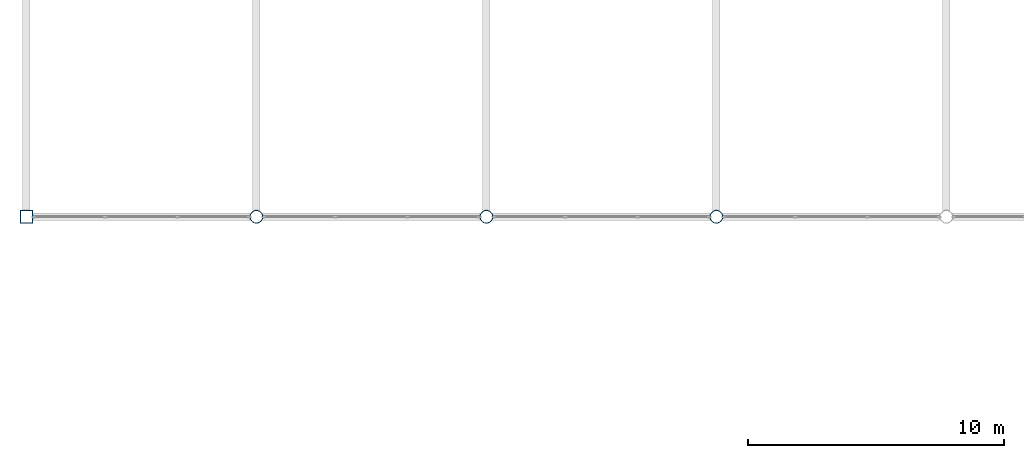
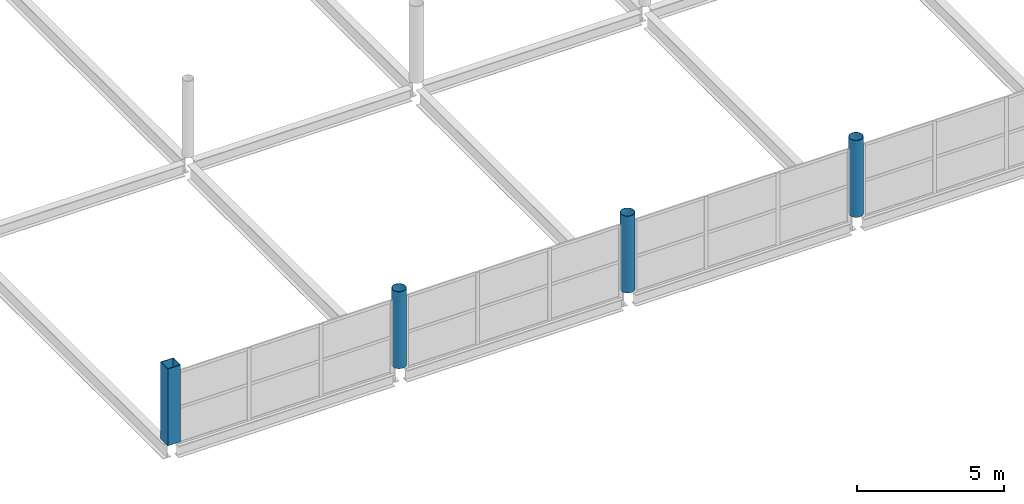
# One storey, part 1 of 134: 4 columns.
"""IFC4 building model written with IfcOpenShell, lengths in metres."""

import ifcopenshell
import ifcopenshell.guid

model = None  # the IFC model being written
_history = None  # IfcOwnerHistory: only IFC2X3 demands one
_inside = {}  # id of a spatial element -> (the spatial element, [elements in it])
_under = {}  # id of a project, library or spatial element -> (it, [spatial elements below it])
_declared = {}  # id of a project -> (the project, [libraries it declares])
_typed = {}  # id of a type object -> (the type object, [elements of that type])
_made_of = {}  # id of a material, layer set ... -> (it, [elements and type objects made of it])


def new_model(schema):
    """Start an empty IFC model of exactly this schema.

    Asked for "IFC4X3", IfcOpenShell would pick the latest addendum, in which some entities
    have other attributes; the version numbers below select the first issue.
    IFC2X3 requires an IfcOwnerHistory on every rooted entity: one is made here for all.
    """
    global model, _history
    if schema == "IFC4X3":
        model = ifcopenshell.file(schema_version=(4, 3, 0, 0))
    else:
        model = ifcopenshell.file(schema=schema)
    _inside.clear()
    _under.clear()
    _declared.clear()
    _typed.clear()
    _made_of.clear()
    _history = None
    if model.schema == "IFC2X3":
        org = make("IfcOrganization", Name="unknown")
        user = make(
            "IfcPersonAndOrganization",
            ThePerson=make("IfcPerson", FamilyName="unknown"),
            TheOrganization=org,
        )
        app = make(
            "IfcApplication",
            ApplicationDeveloper=org,
            Version="unknown",
            ApplicationFullName="unknown",
            ApplicationIdentifier="unknown",
        )
        _history = make(
            "IfcOwnerHistory",
            OwningUser=user,
            OwningApplication=app,
            ChangeAction="ADDED",
            CreationDate=0,
        )
    return model


def make(cls, **values):
    """One entity of the class cls with the attributes given. An attribute that is None is left unset."""
    return model.create_entity(
        cls, **{name: value for name, value in values.items() if value is not None}
    )


def rooted(cls, **values):
    """An entity with a GlobalId (a new one), such as an element, a storey or a relation."""
    return make(cls, GlobalId=ifcopenshell.guid.new(), OwnerHistory=_history, **values)


def si_unit(unit_type, name, prefix=None):
    """IfcSIUnit, for example si_unit("LENGTHUNIT", "METRE", prefix="MILLI")."""
    return make("IfcSIUnit", UnitType=unit_type, Prefix=prefix, Name=name)


def assignment(units):
    """IfcUnitAssignment: the units of a project."""
    return None if units is None else make("IfcUnitAssignment", Units=units)


def point(xyz):
    """IfcCartesianPoint."""
    return None if xyz is None else make("IfcCartesianPoint", Coordinates=xyz)


def direction(xyz):
    """IfcDirection."""
    return None if xyz is None else make("IfcDirection", DirectionRatios=xyz)


def frame(location, z_axis=None, x_axis=None):
    """IfcAxis2Placement3D, a coordinate frame: its origin and axes. An axis left out is left unset."""
    return make(
        "IfcAxis2Placement3D",
        Location=point(location),
        Axis=direction(z_axis),
        RefDirection=direction(x_axis),
    )


def frame_2d(location, x_axis=None):
    """IfcAxis2Placement2D, a coordinate frame in the plane: its origin and x axis."""
    return make(
        "IfcAxis2Placement2D", Location=point(location), RefDirection=direction(x_axis)
    )


def origin():
    """The frame at (0, 0, 0) with its axes left unset."""
    return frame((0.0, 0.0, 0.0))


def origin_2d():
    """The frame at (0, 0) in the plane with its x axis left unset."""
    return frame_2d((0.0, 0.0))


def place(relative_to, where):
    """IfcLocalPlacement: puts the frame where relative to a parent placement (None: the world)."""
    return make(
        "IfcLocalPlacement", PlacementRelTo=relative_to, RelativePlacement=where
    )


def context(
    kind, dimensions, precision=None, world=None, true_north=None, identifier=None
):
    """IfcGeometricRepresentationContext, for example the 3D "Model" context."""
    return make(
        "IfcGeometricRepresentationContext",
        ContextIdentifier=identifier,
        ContextType=kind,
        CoordinateSpaceDimension=dimensions,
        Precision=precision,
        WorldCoordinateSystem=world,
        TrueNorth=true_north,
    )


def subcontext(parent, identifier, kind, view, scale=None):
    """IfcGeometricRepresentationSubContext, for example "Body" below "Model"."""
    return make(
        "IfcGeometricRepresentationSubContext",
        ContextIdentifier=identifier,
        ContextType=kind,
        ParentContext=parent,
        TargetScale=scale,
        TargetView=view,
    )


def project(units=None, contexts=None):
    """IfcProject with its units and contexts."""
    return rooted(
        "IfcProject",
        Name="project",
        RepresentationContexts=contexts,
        UnitsInContext=assignment(units),
    )


def spatial(cls, under=None, at=None, **own):
    """A site, building, storey or space (cls), placed at a placement, below another one or the project."""
    s = rooted(cls, ObjectPlacement=at, **own)
    if under is not None:
        _under.setdefault(under.id(), (under, []))[1].append(s)
    return s


def profile(cls, at=None, kind="AREA", **sizes):
    """A parametric profile (cls). Its sizes go by their IFC names, for example OverallWidth=200.0."""
    return make(cls, ProfileType=kind, Position=at, **sizes)


def hollow_rectangle(**sizes):
    """IfcRectangleHollowProfileDef."""
    return profile("IfcRectangleHollowProfileDef", **sizes)


def hollow_circle(**sizes):
    """IfcCircleHollowProfileDef."""
    return profile("IfcCircleHollowProfileDef", **sizes)


def extrude(swept, where, along, depth):
    """IfcExtrudedAreaSolid: the profile swept, set in the frame where, extruded along a direction by depth."""
    return make(
        "IfcExtrudedAreaSolid",
        SweptArea=swept,
        Position=where,
        ExtrudedDirection=direction(along),
        Depth=depth,
    )


def shape(context_of_items, identifier, shape_type, items):
    """IfcShapeRepresentation: the items that make up one representation, for example the "Body"."""
    return make(
        "IfcShapeRepresentation",
        ContextOfItems=context_of_items,
        RepresentationIdentifier=identifier,
        RepresentationType=shape_type,
        Items=items,
    )


def material(Name=None, Category=None):
    """IfcMaterial."""
    return make("IfcMaterial", Name=Name, Category=Category)


def material_profile(
    of_material, cross_section, Name=None, Category=None, Priority=None
):
    """IfcMaterialProfile: a cross section and its material."""
    return make(
        "IfcMaterialProfile",
        Name=Name,
        Material=of_material,
        Profile=cross_section,
        Priority=Priority,
        Category=Category,
    )


def profile_set(profiles, Name=None, composite=None):
    """IfcMaterialProfileSet."""
    return make(
        "IfcMaterialProfileSet",
        Name=Name,
        MaterialProfiles=profiles,
        CompositeProfile=composite,
    )


def made_of(thing, what):
    """Note that an element or type object is made of a material, layer set ...; save() writes the relation."""
    if what is not None:
        _made_of.setdefault(what.id(), (what, []))[1].append(thing)
    return thing


def type_object(cls, material=None, **own):
    """A type object (cls), such as IfcWallType, which elements share."""
    return made_of(rooted(cls, **own), material)


def element(
    cls,
    number,
    at=None,
    inside=None,
    cuts=None,
    type_object=None,
    material=None,
    context=None,
    identifier="Body",
    shape_type=None,
    held_by="IfcProductDefinitionShape",
    body=None,
    shapes=None,
    **own,
):
    """One element of the class cls, such as IfcWall. Its Tag is "e" and its number.

    at: its placement. inside: the storey or other place that contains it. cuts: it is an
    opening in that element (IfcRelVoidsElement). A single representation is given by context,
    identifier, shape_type and body (its items); several are given by shapes. held_by: the class
    of the entity that holds the representations. save() writes the other relations.
    """
    e = rooted(cls, Tag="e%d" % number, ObjectPlacement=at, **own)
    if body is not None:
        shapes = [shape(context, identifier, shape_type, body)]
    if shapes is not None:
        e.Representation = make(held_by, Representations=shapes)
    if inside is not None:
        _inside.setdefault(inside.id(), (inside, []))[1].append(e)
    if cuts is not None:
        rooted(
            "IfcRelVoidsElement", RelatingBuildingElement=cuts, RelatedOpeningElement=e
        )
    if type_object is not None:
        _typed.setdefault(type_object.id(), (type_object, []))[1].append(e)
    return made_of(e, material)


def aggregate(whole, parts):
    """IfcRelAggregates: a whole, such as a stair, and the parts it consists of."""
    return rooted("IfcRelAggregates", RelatingObject=whole, RelatedObjects=parts)


def save(model, path):
    """Write the relations noted so far, then the file.

    IfcRelAggregates (storeys below a building ...), IfcRelContainedInSpatialStructure (elements
    in a storey), IfcRelDefinesByType, IfcRelAssociatesMaterial and IfcRelDeclares: one each for
    every whole, place, type object, material and project.
    """
    for whole, parts in _under.values():
        aggregate(whole, parts)
    for where, things in _inside.values():
        rooted(
            "IfcRelContainedInSpatialStructure",
            RelatedElements=things,
            RelatingStructure=where,
        )
    for kind, things in _typed.values():
        rooted("IfcRelDefinesByType", RelatedObjects=things, RelatingType=kind)
    for what, things in _made_of.values():
        rooted("IfcRelAssociatesMaterial", RelatedObjects=things, RelatingMaterial=what)
    for by, libraries in _declared.values():
        rooted("IfcRelDeclares", RelatingContext=by, RelatedDefinitions=libraries)
    model.write(path)


model = new_model("IFC4")

# Units and contexts
model_context = context("Model", 3, precision=1e-05, world=origin(), true_north=direction((0.0, 1.0)))
body_context = subcontext(model_context, "Body", "Model", "MODEL_VIEW")
ifc_project = project(units=[si_unit("LENGTHUNIT", "METRE"), si_unit("AREAUNIT", "SQUARE_METRE"), si_unit("VOLUMEUNIT", "CUBIC_METRE"), si_unit("PLANEANGLEUNIT", "RADIAN"), si_unit("MASSUNIT", "GRAM", prefix="KILO")], contexts=[model_context])

# Site, building, storey
site_placement = place(None, origin())
site = spatial("IfcSite", under=ifc_project, at=site_placement, CompositionType="ELEMENT")
building_placement = place(site_placement, origin())
building = spatial("IfcBuilding", under=site, at=building_placement, Name="Tamarisk Ironworks Central Station", CompositionType="ELEMENT")
storey_placement = place(building_placement, frame((0.0, 0.0, 12.60009765625)))
storey = spatial("IfcBuildingStorey", under=building, at=storey_placement, Name="L02", CompositionType="ELEMENT", Elevation=12.60009765625)

# Columns
ifc_material = material(Name="Structural steel S355J2H", Category="steel")
ifc_material_profile_1 = material_profile(ifc_material, hollow_rectangle(XDim=0.5, YDim=0.5, WallThickness=0.02001953125, at=origin_2d()), Name="SHS 500x500x20")
ifc_profile_set_1 = profile_set([ifc_material_profile_1], Name="Structural steel S355J2H")
column_type_1 = type_object("IfcColumnType", Name="COL-S13", PredefinedType="COLUMN", material=ifc_profile_set_1)
column_placement = place(storey_placement, frame((0.0, 21.60009765625, 0.0), z_axis=(0.0, 0.0, 1.0), x_axis=(1.0, 0.0, 0.0)))
element("IfcColumn", 1, at=column_placement, inside=storey, type_object=column_type_1, Name="L02 column V1-01C", PredefinedType="COLUMN", context=body_context, shape_type="SweptSolid", body=[
    extrude(hollow_rectangle(XDim=0.5, YDim=0.5, WallThickness=0.02001953125, at=origin_2d()), origin(), (0.0, 0.0, 1.0), 3.199951171875),
])
ifc_material_profile_2 = material_profile(ifc_material, hollow_circle(Radius=0.25390625, WallThickness=0.01611328125, at=origin_2d()), Name="CHS 508x16")
ifc_profile_set_2 = profile_set([ifc_material_profile_2], Name="Structural steel S355J2H")
column_type_2 = type_object("IfcColumnType", Name="COL-S16", PredefinedType="COLUMN", material=ifc_profile_set_2)
for number, where, z_axis, x_axis, name in (
    (2, (9.0, 21.60009765625, 0.0), (0.0, 0.0, 1.0), (1.0, 0.0, 0.0), "L02 column V1-02C"),
    (3, (18.0, 21.60009765625, 0.0), (0.0, 0.0, 1.0), (1.0, 0.0, 0.0), "L02 column V1-03C"),
    (4, (27.0, 21.60009765625, 0.0), (0.0, 0.0, 1.0), (1.0, 0.0, 0.0), "L02 column V1-04C"),
):
    element("IfcColumn", number, at=place(storey_placement, frame(where, z_axis=z_axis, x_axis=x_axis)), inside=storey, type_object=column_type_2, Name=name, PredefinedType="COLUMN", context=body_context, shape_type="SweptSolid", body=[
        extrude(hollow_circle(Radius=0.25390625, WallThickness=0.01611328125, at=origin_2d()), origin(), (0.0, 0.0, 1.0), 3.199951171875),
    ])

save(model, "model.ifc")
